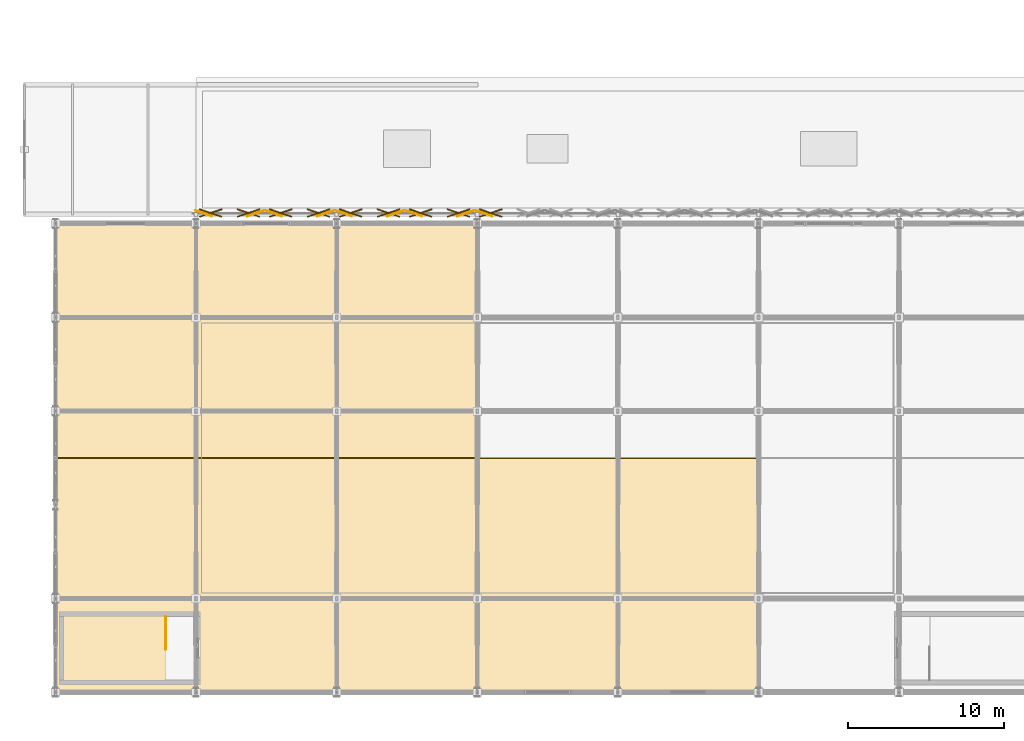
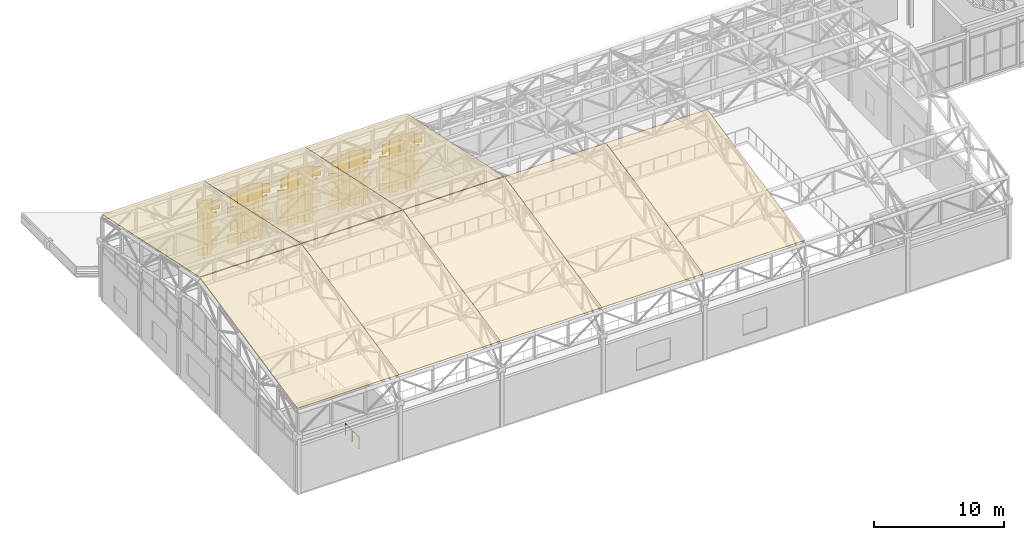
# One storey, part 102 of 112: 62 coverings, 1 railing.
"""IFC4 building model written with IfcOpenShell, lengths in metres."""

from ifc_helpers import new_model, si_unit, direction, frame, origin, origin_2d, place, context, subcontext, project, spatial, polyline, rectangle, circle, outline, extrude, material, layer, layer_set, type_object, element, save


model = new_model("IFC4")

# Units and contexts
model_context = context("Model", 3, precision=1e-05, world=origin(), true_north=direction((0.0, 1.0)))
body_context = subcontext(model_context, "Body", "Model", "MODEL_VIEW")
ifc_project = project(units=[si_unit("LENGTHUNIT", "METRE"), si_unit("AREAUNIT", "SQUARE_METRE"), si_unit("VOLUMEUNIT", "CUBIC_METRE"), si_unit("PLANEANGLEUNIT", "RADIAN"), si_unit("MASSUNIT", "GRAM", prefix="KILO")], contexts=[model_context])

# Site, building, storey
site_placement = place(None, origin())
site = spatial("IfcSite", under=ifc_project, at=site_placement, CompositionType="ELEMENT")
building_placement = place(site_placement, origin())
building = spatial("IfcBuilding", under=site, at=building_placement, Name="Kaldris Quays Convention Centre", CompositionType="ELEMENT")
storey_placement = place(building_placement, frame((0.0, 0.0, 16.800048828125)))
storey = spatial("IfcBuildingStorey", under=building, at=storey_placement, Name="L03", CompositionType="ELEMENT", Elevation=16.800048828125)

# Coverings
ifc_material_1 = material(Name="Alabaster white star-pierced anodized aluminium panel", Category="aluminium")
ifc_layer_1 = layer(ifc_material_1, 0.054931640625)
ifc_layer_set_1 = layer_set([ifc_layer_1], Name="Alabaster white star-pierced anodized aluminium panel")
covering_type_1 = type_object("IfcCoveringType", Name="ALABASTER WHITE STANDING SEAM ROOF SRF1", PredefinedType="ROOFING", material=ifc_layer_set_1)
for number, where, z_axis, x_axis, name in (
    (1, (20.0, 16.0, 7.91015625), (0.0, -0.208631761639, 0.977994267895), (1.0, 0.0, 0.0), "Hall Alabaster White Standing-Seam Roof Panel 23"),
    (2, (29.0, 16.0, 7.91015625), (0.0, -0.208631761639, 0.977994267895), (1.0, 0.0, 0.0), "Hall Alabaster White Standing-Seam Roof Panel 24"),
    (3, (38.0, 16.0, 7.91015625), (0.0, -0.208631761639, 0.977994267895), (1.0, 0.0, 0.0), "Hall Alabaster White Standing-Seam Roof Panel 25"),
    (4, (47.0, 16.0, 7.91015625), (0.0, -0.208631761639, 0.977994267895), (1.0, 0.0, 0.0), "Hall Alabaster White Standing-Seam Roof Panel 26"),
    (5, (56.0, 16.0, 7.91015625), (0.0, -0.208631761639, 0.977994267895), (1.0, 0.0, 0.0), "Hall Alabaster White Standing-Seam Roof Panel 27"),
    (6, (20.0, 31.02490234375, 11.104736328125), (0.0, 0.208631761639, 0.977994267895), (1.0, 0.0, 0.0), "Hall Alabaster White Standing-Seam Roof Panel 30"),
    (7, (29.0, 31.02490234375, 11.104736328125), (0.0, 0.208631761639, 0.977994267895), (1.0, 0.0, 0.0), "Hall Alabaster White Standing-Seam Roof Panel 31"),
    (8, (38.0, 31.02490234375, 11.104736328125), (0.0, 0.208631761639, 0.977994267895), (1.0, 0.0, 0.0), "Hall Alabaster White Standing-Seam Roof Panel 32"),
):
    element("IfcCovering", number, at=place(storey_placement, frame(where, z_axis=z_axis, x_axis=x_axis)), inside=storey, type_object=covering_type_1, Name=name, PredefinedType="ROOFING", context=body_context, shape_type="SweptSolid", body=[
        extrude(outline(polyline([(0.0, 0.0), (9.0, 0.0), (9.0, 15.312050538375889), (0.0, 15.312050538375889), (0.0, 0.0)])), origin(), (0.0, 0.0, -1.0), 0.054931640625),
    ])

# Railing
ifc_material_2 = material(Name="Steel S355J2", Category="steel")
railing_type = type_object("IfcRailingType", Name="INTERIOR GUARDRAIL GR01", PredefinedType="GUARDRAIL", material=ifc_material_2)
railing_placement = place(storey_placement, frame((27.050048828125, 20.85009765625, 0.0)))
element("IfcRailing", 9, at=railing_placement, inside=storey, type_object=railing_type, Name="L03 ST05 Top Well Guardrail 1", PredefinedType="GUARDRAIL", context=body_context, shape_type="SweptSolid", body=[
    extrude(circle(Radius=0.02392578125, at=origin_2d()), frame((0.0, 0.0, 1.076171875), z_axis=(0.0, -1.0, 0.0), x_axis=(1.0, 0.0, 0.0)), (0.0, 0.0, 1.0), 2.10009765625),
    extrude(circle(Radius=0.02099609375, at=origin_2d()), origin(), (0.0, 0.0, 1.0), 1.052001953125),
    extrude(circle(Radius=0.02099609375, at=origin_2d()), frame((0.0, -1.050048828125, 0.0)), (0.0, 0.0, 1.0), 1.052001953125),
    extrude(circle(Radius=0.02099609375, at=origin_2d()), frame((0.0, -2.10009765625, 0.0)), (0.0, 0.0, 1.0), 1.052001953125),
])

# Coverings
ifc_layer_2 = layer(ifc_material_1, 0.044921875)
ifc_layer_set_2 = layer_set([ifc_layer_2], Name="Alabaster white star-pierced anodized aluminium panel")
covering_type_2 = type_object("IfcCoveringType", Name="STAR PIERCED WHITE FOLDED SCREEN CL01", PredefinedType="CLADDING", material=ifc_layer_set_2)
for number, where, z_axis, x_axis, name in (
    (10, (29.48291015625, 46.659912109375, 0.33984375), (0.0, 0.0, 1.0), (0.945518575599, -0.325568154457, 0.0), "V3NU Folded White Screen Stile 3111"),
    (11, (32.800537109375, 46.659912109375, 0.33984375), (0.0, 0.0, 1.0), (0.945518575599, 0.325568154457, 0.0), "V3NU Folded White Screen Stile 3112"),
):
    element("IfcCovering", number, at=place(storey_placement, frame(where, z_axis=z_axis, x_axis=x_axis)), inside=storey, type_object=covering_type_2, Name=name, PredefinedType="CLADDING", context=body_context, shape_type="SweptSolid", body=[
        extrude(rectangle(XDim=1.137939453125, YDim=0.054931640625, at=origin_2d()), origin(), (0.0, 0.0, 1.0), 2.64501953125),
    ])
for number, where, z_axis, x_axis, name in (
    (12, (29.93115234375, 46.679931640625, 0.55126953125), (0.0, 0.0, 1.0), (0.945518575599, 0.325568154457, 0.0), "V3NU Carved Star Corner Facet 3113"),
    (13, (29.93115234375, 46.679931640625, 1.914794921875), (0.0, 0.0, 1.0), (0.945518575599, -0.325568154457, 0.0), "V3NU Carved Star Corner Facet 3114"),
    (14, (32.352294921875, 46.679931640625, 0.55126953125), (0.0, 0.0, 1.0), (0.945518575599, -0.325568154457, 0.0), "V3NU Carved Star Corner Facet 3115"),
    (15, (32.352294921875, 46.679931640625, 1.914794921875), (0.0, 0.0, 1.0), (0.945518575599, 0.325568154457, 0.0), "V3NU Carved Star Corner Facet 3116"),
):
    element("IfcCovering", number, at=place(storey_placement, frame(where, z_axis=z_axis, x_axis=x_axis)), inside=storey, type_object=covering_type_2, Name=name, PredefinedType="CLADDING", context=body_context, shape_type="SweptSolid", body=[
        extrude(rectangle(XDim=1.52392578125, YDim=0.06494140625, at=origin_2d()), origin(), (0.0, 0.0, 1.0), 0.85888671875),
    ])
for number, where, z_axis, x_axis, name in (
    (16, (29.48291015625, 46.659912109375, 2.864990234375), (0.0, 0.0, 1.0), (0.945518575599, -0.325568154457, 0.0), "V3NU Folded White Screen Stile 3117"),
    (17, (32.800537109375, 46.659912109375, 2.864990234375), (0.0, 0.0, 1.0), (0.945518575599, 0.325568154457, 0.0), "V3NU Folded White Screen Stile 3118"),
):
    element("IfcCovering", number, at=place(storey_placement, frame(where, z_axis=z_axis, x_axis=x_axis)), inside=storey, type_object=covering_type_2, Name=name, PredefinedType="CLADDING", context=body_context, shape_type="SweptSolid", body=[
        extrude(rectangle(XDim=1.137939453125, YDim=0.054931640625, at=origin_2d()), origin(), (0.0, 0.0, 1.0), 2.64501953125),
    ])
for number, where, z_axis, x_axis, name in (
    (18, (29.93115234375, 46.679931640625, 3.07666015625), (0.0, 0.0, 1.0), (0.945518575599, 0.325568154457, 0.0), "V3NU Carved Star Corner Facet 3119"),
    (19, (29.93115234375, 46.679931640625, 4.440185546875), (0.0, 0.0, 1.0), (0.945518575599, -0.325568154457, 0.0), "V3NU Carved Star Corner Facet 3120"),
    (20, (32.352294921875, 46.679931640625, 3.07666015625), (0.0, 0.0, 1.0), (0.945518575599, -0.325568154457, 0.0), "V3NU Carved Star Corner Facet 3121"),
    (21, (32.352294921875, 46.679931640625, 4.440185546875), (0.0, 0.0, 1.0), (0.945518575599, 0.325568154457, 0.0), "V3NU Carved Star Corner Facet 3122"),
):
    element("IfcCovering", number, at=place(storey_placement, frame(where, z_axis=z_axis, x_axis=x_axis)), inside=storey, type_object=covering_type_2, Name=name, PredefinedType="CLADDING", context=body_context, shape_type="SweptSolid", body=[
        extrude(rectangle(XDim=1.52392578125, YDim=0.06494140625, at=origin_2d()), origin(), (0.0, 0.0, 1.0), 0.85791015625),
    ])
for number, where, z_axis, x_axis, name in (
    (22, (33.96630859375, 46.659912109375, 0.33984375), (0.0, 0.0, 1.0), (0.945518575599, -0.325568154457, 0.0), "V3NU Folded White Screen Stile 3123"),
    (23, (37.28369140625, 46.659912109375, 0.33984375), (0.0, 0.0, 1.0), (0.945518575599, 0.325568154457, 0.0), "V3NU Folded White Screen Stile 3124"),
):
    element("IfcCovering", number, at=place(storey_placement, frame(where, z_axis=z_axis, x_axis=x_axis)), inside=storey, type_object=covering_type_2, Name=name, PredefinedType="CLADDING", context=body_context, shape_type="SweptSolid", body=[
        extrude(rectangle(XDim=1.137939453125, YDim=0.054931640625, at=origin_2d()), origin(), (0.0, 0.0, 1.0), 2.64501953125),
    ])
for number, where, z_axis, x_axis, name in (
    (24, (34.41455078125, 46.679931640625, 0.55126953125), (0.0, 0.0, 1.0), (0.945518575599, 0.325568154457, 0.0), "V3NU Carved Star Corner Facet 3125"),
    (25, (34.41455078125, 46.679931640625, 1.914794921875), (0.0, 0.0, 1.0), (0.945518575599, -0.325568154457, 0.0), "V3NU Carved Star Corner Facet 3126"),
    (26, (36.83544921875, 46.679931640625, 0.55126953125), (0.0, 0.0, 1.0), (0.945518575599, -0.325568154457, 0.0), "V3NU Carved Star Corner Facet 3127"),
    (27, (36.83544921875, 46.679931640625, 1.914794921875), (0.0, 0.0, 1.0), (0.945518575599, 0.325568154457, 0.0), "V3NU Carved Star Corner Facet 3128"),
):
    element("IfcCovering", number, at=place(storey_placement, frame(where, z_axis=z_axis, x_axis=x_axis)), inside=storey, type_object=covering_type_2, Name=name, PredefinedType="CLADDING", context=body_context, shape_type="SweptSolid", body=[
        extrude(rectangle(XDim=1.52392578125, YDim=0.06494140625, at=origin_2d()), origin(), (0.0, 0.0, 1.0), 0.85888671875),
    ])
for number, where, z_axis, x_axis, name in (
    (28, (33.96630859375, 46.659912109375, 2.864990234375), (0.0, 0.0, 1.0), (0.945518575599, -0.325568154457, 0.0), "V3NU Folded White Screen Stile 3129"),
    (29, (37.28369140625, 46.659912109375, 2.864990234375), (0.0, 0.0, 1.0), (0.945518575599, 0.325568154457, 0.0), "V3NU Folded White Screen Stile 3130"),
):
    element("IfcCovering", number, at=place(storey_placement, frame(where, z_axis=z_axis, x_axis=x_axis)), inside=storey, type_object=covering_type_2, Name=name, PredefinedType="CLADDING", context=body_context, shape_type="SweptSolid", body=[
        extrude(rectangle(XDim=1.137939453125, YDim=0.054931640625, at=origin_2d()), origin(), (0.0, 0.0, 1.0), 2.64501953125),
    ])
for number, where, z_axis, x_axis, name in (
    (30, (34.41455078125, 46.679931640625, 3.07666015625), (0.0, 0.0, 1.0), (0.945518575599, 0.325568154457, 0.0), "V3NU Carved Star Corner Facet 3131"),
    (31, (34.41455078125, 46.679931640625, 4.440185546875), (0.0, 0.0, 1.0), (0.945518575599, -0.325568154457, 0.0), "V3NU Carved Star Corner Facet 3132"),
    (32, (36.83544921875, 46.679931640625, 3.07666015625), (0.0, 0.0, 1.0), (0.945518575599, -0.325568154457, 0.0), "V3NU Carved Star Corner Facet 3133"),
    (33, (36.83544921875, 46.679931640625, 4.440185546875), (0.0, 0.0, 1.0), (0.945518575599, 0.325568154457, 0.0), "V3NU Carved Star Corner Facet 3134"),
):
    element("IfcCovering", number, at=place(storey_placement, frame(where, z_axis=z_axis, x_axis=x_axis)), inside=storey, type_object=covering_type_2, Name=name, PredefinedType="CLADDING", context=body_context, shape_type="SweptSolid", body=[
        extrude(rectangle(XDim=1.52392578125, YDim=0.06494140625, at=origin_2d()), origin(), (0.0, 0.0, 1.0), 0.85791015625),
    ])
for number, where, z_axis, x_axis, name in (
    (34, (38.449462890625, 46.659912109375, 0.33984375), (0.0, 0.0, 1.0), (0.945518575599, -0.325568154457, 0.0), "V3NU Folded White Screen Stile 3135"),
    (35, (41.76708984375, 46.659912109375, 0.33984375), (0.0, 0.0, 1.0), (0.945518575599, 0.325568154457, 0.0), "V3NU Folded White Screen Stile 3136"),
):
    element("IfcCovering", number, at=place(storey_placement, frame(where, z_axis=z_axis, x_axis=x_axis)), inside=storey, type_object=covering_type_2, Name=name, PredefinedType="CLADDING", context=body_context, shape_type="SweptSolid", body=[
        extrude(rectangle(XDim=1.137939453125, YDim=0.054931640625, at=origin_2d()), origin(), (0.0, 0.0, 1.0), 2.64501953125),
    ])
for number, where, z_axis, x_axis, name in (
    (36, (38.897705078125, 46.679931640625, 0.55126953125), (0.0, 0.0, 1.0), (0.945518575599, 0.325568154457, 0.0), "V3NU Carved Star Corner Facet 3137"),
    (37, (38.897705078125, 46.679931640625, 1.914794921875), (0.0, 0.0, 1.0), (0.945518575599, -0.325568154457, 0.0), "V3NU Carved Star Corner Facet 3138"),
    (38, (41.31884765625, 46.679931640625, 0.55126953125), (0.0, 0.0, 1.0), (0.945518575599, -0.325568154457, 0.0), "V3NU Carved Star Corner Facet 3139"),
    (39, (41.31884765625, 46.679931640625, 1.914794921875), (0.0, 0.0, 1.0), (0.945518575599, 0.325568154457, 0.0), "V3NU Carved Star Corner Facet 3140"),
):
    element("IfcCovering", number, at=place(storey_placement, frame(where, z_axis=z_axis, x_axis=x_axis)), inside=storey, type_object=covering_type_2, Name=name, PredefinedType="CLADDING", context=body_context, shape_type="SweptSolid", body=[
        extrude(rectangle(XDim=1.52392578125, YDim=0.06494140625, at=origin_2d()), origin(), (0.0, 0.0, 1.0), 0.85888671875),
    ])
for number, where, z_axis, x_axis, name in (
    (40, (38.449462890625, 46.659912109375, 2.864990234375), (0.0, 0.0, 1.0), (0.945518575599, -0.325568154457, 0.0), "V3NU Folded White Screen Stile 3141"),
    (41, (41.76708984375, 46.659912109375, 2.864990234375), (0.0, 0.0, 1.0), (0.945518575599, 0.325568154457, 0.0), "V3NU Folded White Screen Stile 3142"),
):
    element("IfcCovering", number, at=place(storey_placement, frame(where, z_axis=z_axis, x_axis=x_axis)), inside=storey, type_object=covering_type_2, Name=name, PredefinedType="CLADDING", context=body_context, shape_type="SweptSolid", body=[
        extrude(rectangle(XDim=1.137939453125, YDim=0.054931640625, at=origin_2d()), origin(), (0.0, 0.0, 1.0), 2.64501953125),
    ])
for number, where, z_axis, x_axis, name in (
    (42, (38.897705078125, 46.679931640625, 3.07666015625), (0.0, 0.0, 1.0), (0.945518575599, 0.325568154457, 0.0), "V3NU Carved Star Corner Facet 3143"),
    (43, (38.897705078125, 46.679931640625, 4.440185546875), (0.0, 0.0, 1.0), (0.945518575599, -0.325568154457, 0.0), "V3NU Carved Star Corner Facet 3144"),
    (44, (41.31884765625, 46.679931640625, 3.07666015625), (0.0, 0.0, 1.0), (0.945518575599, -0.325568154457, 0.0), "V3NU Carved Star Corner Facet 3145"),
    (45, (41.31884765625, 46.679931640625, 4.440185546875), (0.0, 0.0, 1.0), (0.945518575599, 0.325568154457, 0.0), "V3NU Carved Star Corner Facet 3146"),
):
    element("IfcCovering", number, at=place(storey_placement, frame(where, z_axis=z_axis, x_axis=x_axis)), inside=storey, type_object=covering_type_2, Name=name, PredefinedType="CLADDING", context=body_context, shape_type="SweptSolid", body=[
        extrude(rectangle(XDim=1.52392578125, YDim=0.06494140625, at=origin_2d()), origin(), (0.0, 0.0, 1.0), 0.85791015625),
    ])
for number, where, z_axis, x_axis, name in (
    (46, (42.932861328125, 46.659912109375, 0.33984375), (0.0, 0.0, 1.0), (0.945518575599, -0.325568154457, 0.0), "V3NU Folded White Screen Stile 3147"),
    (47, (46.25048828125, 46.659912109375, 0.33984375), (0.0, 0.0, 1.0), (0.945518575599, 0.325568154457, 0.0), "V3NU Folded White Screen Stile 3148"),
):
    element("IfcCovering", number, at=place(storey_placement, frame(where, z_axis=z_axis, x_axis=x_axis)), inside=storey, type_object=covering_type_2, Name=name, PredefinedType="CLADDING", context=body_context, shape_type="SweptSolid", body=[
        extrude(rectangle(XDim=1.137939453125, YDim=0.054931640625, at=origin_2d()), origin(), (0.0, 0.0, 1.0), 2.64501953125),
    ])
for number, where, z_axis, x_axis, name in (
    (48, (43.381103515625, 46.679931640625, 0.55126953125), (0.0, 0.0, 1.0), (0.945518575599, 0.325568154457, 0.0), "V3NU Carved Star Corner Facet 3149"),
    (49, (43.381103515625, 46.679931640625, 1.914794921875), (0.0, 0.0, 1.0), (0.945518575599, -0.325568154457, 0.0), "V3NU Carved Star Corner Facet 3150"),
    (50, (45.80224609375, 46.679931640625, 0.55126953125), (0.0, 0.0, 1.0), (0.945518575599, -0.325568154457, 0.0), "V3NU Carved Star Corner Facet 3151"),
    (51, (45.80224609375, 46.679931640625, 1.914794921875), (0.0, 0.0, 1.0), (0.945518575599, 0.325568154457, 0.0), "V3NU Carved Star Corner Facet 3152"),
):
    element("IfcCovering", number, at=place(storey_placement, frame(where, z_axis=z_axis, x_axis=x_axis)), inside=storey, type_object=covering_type_2, Name=name, PredefinedType="CLADDING", context=body_context, shape_type="SweptSolid", body=[
        extrude(rectangle(XDim=1.52392578125, YDim=0.06494140625, at=origin_2d()), origin(), (0.0, 0.0, 1.0), 0.85888671875),
    ])
for number, where, z_axis, x_axis, name in (
    (52, (42.932861328125, 46.659912109375, 2.864990234375), (0.0, 0.0, 1.0), (0.945518575599, -0.325568154457, 0.0), "V3NU Folded White Screen Stile 3153"),
    (53, (46.25048828125, 46.659912109375, 2.864990234375), (0.0, 0.0, 1.0), (0.945518575599, 0.325568154457, 0.0), "V3NU Folded White Screen Stile 3154"),
):
    element("IfcCovering", number, at=place(storey_placement, frame(where, z_axis=z_axis, x_axis=x_axis)), inside=storey, type_object=covering_type_2, Name=name, PredefinedType="CLADDING", context=body_context, shape_type="SweptSolid", body=[
        extrude(rectangle(XDim=1.137939453125, YDim=0.054931640625, at=origin_2d()), origin(), (0.0, 0.0, 1.0), 2.64501953125),
    ])
for number, where, z_axis, x_axis, name in (
    (54, (43.381103515625, 46.679931640625, 3.07666015625), (0.0, 0.0, 1.0), (0.945518575599, 0.325568154457, 0.0), "V3NU Carved Star Corner Facet 3155"),
    (55, (43.381103515625, 46.679931640625, 4.440185546875), (0.0, 0.0, 1.0), (0.945518575599, -0.325568154457, 0.0), "V3NU Carved Star Corner Facet 3156"),
    (56, (45.80224609375, 46.679931640625, 3.07666015625), (0.0, 0.0, 1.0), (0.945518575599, -0.325568154457, 0.0), "V3NU Carved Star Corner Facet 3157"),
    (57, (45.80224609375, 46.679931640625, 4.440185546875), (0.0, 0.0, 1.0), (0.945518575599, 0.325568154457, 0.0), "V3NU Carved Star Corner Facet 3158"),
):
    element("IfcCovering", number, at=place(storey_placement, frame(where, z_axis=z_axis, x_axis=x_axis)), inside=storey, type_object=covering_type_2, Name=name, PredefinedType="CLADDING", context=body_context, shape_type="SweptSolid", body=[
        extrude(rectangle(XDim=1.52392578125, YDim=0.06494140625, at=origin_2d()), origin(), (0.0, 0.0, 1.0), 0.85791015625),
    ])
covering_1_placement = place(storey_placement, frame((47.416259765625, 46.659912109375, 0.33984375), z_axis=(0.0, 0.0, 1.0), x_axis=(0.945518575599, -0.325568154457, 0.0)))
element("IfcCovering", 58, at=covering_1_placement, inside=storey, type_object=covering_type_2, Name="V3NU Folded White Screen Stile 3159", PredefinedType="CLADDING", context=body_context, shape_type="SweptSolid", body=[
    extrude(rectangle(XDim=1.137939453125, YDim=0.054931640625, at=origin_2d()), origin(), (0.0, 0.0, 1.0), 2.64501953125),
])
for number, where, z_axis, x_axis, name in (
    (59, (47.864501953125, 46.679931640625, 0.55126953125), (0.0, 0.0, 1.0), (0.945518575599, 0.325568154457, 0.0), "V3NU Carved Star Corner Facet 3161"),
    (60, (47.864501953125, 46.679931640625, 1.914794921875), (0.0, 0.0, 1.0), (0.945518575599, -0.325568154457, 0.0), "V3NU Carved Star Corner Facet 3162"),
):
    element("IfcCovering", number, at=place(storey_placement, frame(where, z_axis=z_axis, x_axis=x_axis)), inside=storey, type_object=covering_type_2, Name=name, PredefinedType="CLADDING", context=body_context, shape_type="SweptSolid", body=[
        extrude(rectangle(XDim=1.52392578125, YDim=0.06494140625, at=origin_2d()), origin(), (0.0, 0.0, 1.0), 0.85888671875),
    ])
covering_2_placement = place(storey_placement, frame((47.416259765625, 46.659912109375, 2.864990234375), z_axis=(0.0, 0.0, 1.0), x_axis=(0.945518575599, -0.325568154457, 0.0)))
element("IfcCovering", 61, at=covering_2_placement, inside=storey, type_object=covering_type_2, Name="V3NU Folded White Screen Stile 3165", PredefinedType="CLADDING", context=body_context, shape_type="SweptSolid", body=[
    extrude(rectangle(XDim=1.137939453125, YDim=0.054931640625, at=origin_2d()), origin(), (0.0, 0.0, 1.0), 2.64501953125),
])
for number, where, z_axis, x_axis, name in (
    (62, (47.864501953125, 46.679931640625, 3.07666015625), (0.0, 0.0, 1.0), (0.945518575599, 0.325568154457, 0.0), "V3NU Carved Star Corner Facet 3167"),
    (63, (47.864501953125, 46.679931640625, 4.440185546875), (0.0, 0.0, 1.0), (0.945518575599, -0.325568154457, 0.0), "V3NU Carved Star Corner Facet 3168"),
):
    element("IfcCovering", number, at=place(storey_placement, frame(where, z_axis=z_axis, x_axis=x_axis)), inside=storey, type_object=covering_type_2, Name=name, PredefinedType="CLADDING", context=body_context, shape_type="SweptSolid", body=[
        extrude(rectangle(XDim=1.52392578125, YDim=0.06494140625, at=origin_2d()), origin(), (0.0, 0.0, 1.0), 0.85791015625),
    ])

save(model, "model.ifc")
